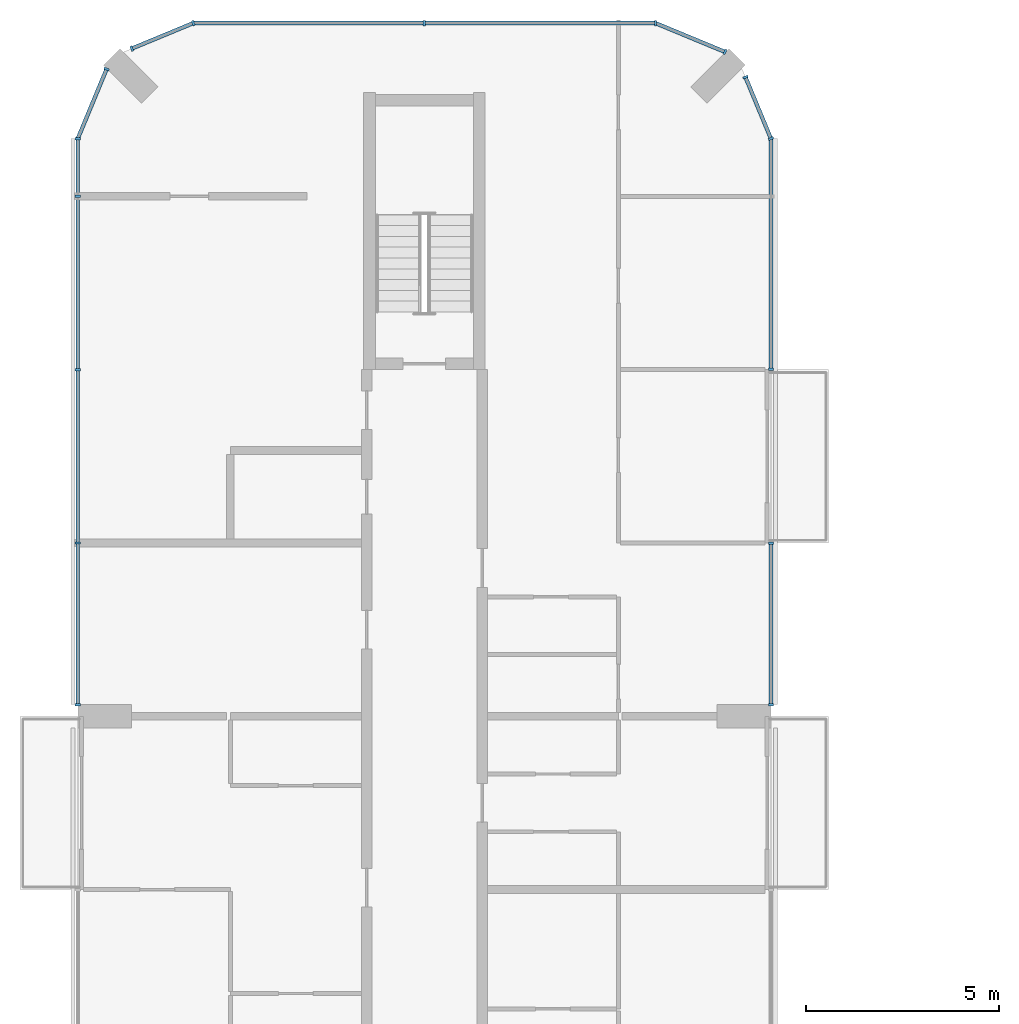
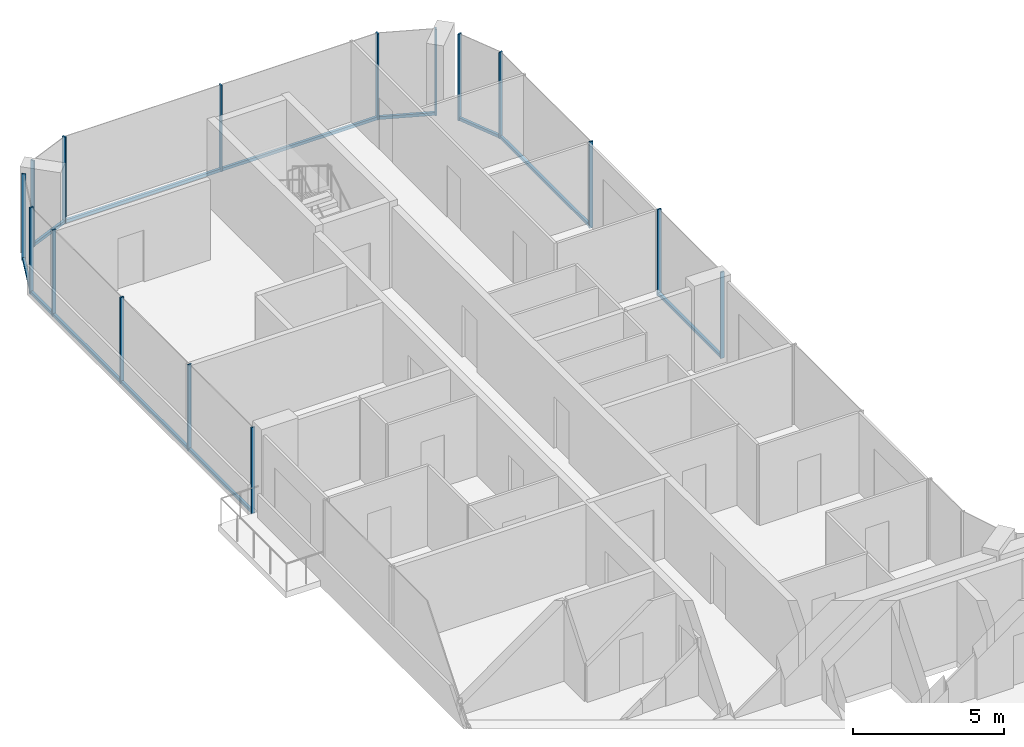
# One storey, part 7 of 15: 24 members, 8 elements without a shape of their own.
"""IFC4 building model written with IfcOpenShell, lengths in metres."""

from ifc_helpers import new_model, si_unit, direction, frame, origin, origin_2d, place, context, subcontext, project, spatial, rectangle, extrude, material, layer, layer_set, material_profile, profile_set, type_object, element, aggregate, save


model = new_model("IFC4")

# Units and contexts
model_context = context("Model", 3, precision=1e-05, world=origin(), true_north=direction((0.0, 1.0)))
body_context = subcontext(model_context, "Body", "Model", "MODEL_VIEW")
ifc_project = project(units=[si_unit("LENGTHUNIT", "METRE"), si_unit("AREAUNIT", "SQUARE_METRE"), si_unit("VOLUMEUNIT", "CUBIC_METRE"), si_unit("PLANEANGLEUNIT", "RADIAN"), si_unit("MASSUNIT", "GRAM", prefix="KILO")], contexts=[model_context])

# Site, building, storey
site_placement = place(None, origin())
site = spatial("IfcSite", under=ifc_project, at=site_placement, CompositionType="ELEMENT")
building_placement = place(site_placement, origin())
building = spatial("IfcBuilding", under=site, at=building_placement, Name="Plateau Cross Towers", CompositionType="ELEMENT")
storey_placement = place(building_placement, frame((0.0, 0.0, 201.39990234375)))
storey = spatial("IfcBuildingStorey", under=building, at=storey_placement, Name="L52", CompositionType="ELEMENT", Elevation=201.39990234375)

# Curtain wall, members
ifc_material_1 = material(Name="Dark low-iron glass", Category="glass")
ifc_layer = layer(ifc_material_1, 0.239990234375)
ifc_layer_set = layer_set([ifc_layer], Name="Dark low-iron glass")
curtain_wall_type = type_object("IfcCurtainWallType", Name="Curtain wall flush unitised CW-B", PredefinedType="NOTDEFINED", material=ifc_layer_set)
curtain_wall_1_placement = place(storey_placement, origin())
curtain_wall_1 = element("IfcCurtainWall", 1, at=curtain_wall_1_placement, inside=storey, type_object=curtain_wall_type, Name="ENV/A/L52/A180_363", PredefinedType="NOTDEFINED")
ifc_material_2 = material(Name="Black anodised aluminium", Category="aluminium")
ifc_material_profile_1 = material_profile(ifc_material_2, rectangle(XDim=0.06005859375, YDim=0.139892578125, at=origin_2d()), Name="MULLION 60x140")
ifc_profile_set_1 = profile_set([ifc_material_profile_1], Name="Black anodised aluminium")
member_type_1 = type_object("IfcMemberType", Name="Mullion 60x140 flush unitised", PredefinedType="MULLION", material=ifc_profile_set_1)
member_1_placement = place(storey_placement, frame((18.0, 36.300048828125, -0.25), z_axis=(0.0, 0.0, 1.0), x_axis=(0.0, 1.0, 0.0)))
member_1 = element("IfcMember", 2, at=member_1_placement, type_object=member_type_1, Name="CW-B mullion 1", PredefinedType="MULLION", context=body_context, shape_type="SweptSolid", body=[
    extrude(rectangle(XDim=0.06005859375, YDim=0.139892578125, at=origin_2d()), origin(), (0.0, 0.0, 1.0), 3.5),
])
member_2_placement = place(storey_placement, frame((18.0, 40.489990234375, -0.25), z_axis=(0.0, 0.0, 1.0), x_axis=(0.0, 1.0, 0.0)))
member_2 = element("IfcMember", 3, at=member_2_placement, type_object=member_type_1, Name="CW-B mullion 2", PredefinedType="MULLION", context=body_context, shape_type="SweptSolid", body=[
    extrude(rectangle(XDim=0.06005859375, YDim=0.139892578125, at=origin_2d()), origin(), (0.0, 0.0, 1.0), 3.5),
])

# Curtain wall, member
curtain_wall_2_placement = place(storey_placement, origin())
curtain_wall_2 = element("IfcCurtainWall", 4, at=curtain_wall_2_placement, inside=storey, type_object=curtain_wall_type, Name="ENV/A/L52/A180_450", PredefinedType="NOTDEFINED")
member_3_placement = place(storey_placement, frame((18.0, 45.010009765625, -0.25), z_axis=(0.0, 0.0, 1.0), x_axis=(0.0, 1.0, 0.0)))
member_3 = element("IfcMember", 5, at=member_3_placement, type_object=member_type_1, Name="CW-B mullion 1", PredefinedType="MULLION", context=body_context, shape_type="SweptSolid", body=[
    extrude(rectangle(XDim=0.06005859375, YDim=0.139892578125, at=origin_2d()), origin(), (0.0, 0.0, 1.0), 3.5),
])

# Curtain wall, members
curtain_wall_3_placement = place(storey_placement, origin())
curtain_wall_3 = element("IfcCurtainWall", 6, at=curtain_wall_3_placement, inside=storey, type_object=curtain_wall_type, Name="ENV/A/L52/A180_510", PredefinedType="NOTDEFINED")
member_4_placement = place(storey_placement, frame((18.0, 51.0, -0.25), z_axis=(0.0, 0.0, 1.0), x_axis=(-0.382683612978, 0.923879457699, 0.0)))
member_4 = element("IfcMember", 7, at=member_4_placement, type_object=member_type_1, Name="CW-B mullion 1", PredefinedType="MULLION", context=body_context, shape_type="SweptSolid", body=[
    extrude(rectangle(XDim=0.06005859375, YDim=0.139892578125, at=origin_2d()), origin(), (0.0, 0.0, 1.0), 3.5),
])
member_5_placement = place(storey_placement, frame((17.338623046875, 52.5966796875, -0.25), z_axis=(0.0, 0.0, 1.0), x_axis=(-0.382683612978, 0.923879457699, 0.0)))
member_5 = element("IfcMember", 8, at=member_5_placement, type_object=member_type_1, Name="CW-B mullion 2", PredefinedType="MULLION", context=body_context, shape_type="SweptSolid", body=[
    extrude(rectangle(XDim=0.06005859375, YDim=0.139892578125, at=origin_2d()), origin(), (0.0, 0.0, 1.0), 3.5),
])

# Curtain wall, member
curtain_wall_4_placement = place(storey_placement, origin())
curtain_wall_4 = element("IfcCurtainWall", 9, at=curtain_wall_4_placement, inside=storey, type_object=curtain_wall_type, Name="ENV/A/L52/A168_533", PredefinedType="NOTDEFINED")
member_6_placement = place(storey_placement, frame((16.805908203125, 53.251953125, -0.25), z_axis=(0.0, 0.0, 1.0), x_axis=(-0.923879457699, 0.382683612978, 0.0)))
member_6 = element("IfcMember", 10, at=member_6_placement, type_object=member_type_1, Name="CW-B mullion 1", PredefinedType="MULLION", context=body_context, shape_type="SweptSolid", body=[
    extrude(rectangle(XDim=0.06005859375, YDim=0.139892578125, at=origin_2d()), origin(), (0.0, 0.0, 1.0), 3.5),
])

# Curtain wall, members
curtain_wall_5_placement = place(storey_placement, origin())
curtain_wall_5 = element("IfcCurtainWall", 11, at=curtain_wall_5_placement, inside=storey, type_object=curtain_wall_type, Name="ENV/A/L52/A150_540", PredefinedType="NOTDEFINED")
member_7_placement = place(storey_placement, frame((15.0, 54.0, -0.25), z_axis=(0.0, 0.0, 1.0), x_axis=(-1.0, 0.0, 0.0)))
member_7 = element("IfcMember", 12, at=member_7_placement, type_object=member_type_1, Name="CW-B mullion 1", PredefinedType="MULLION", context=body_context, shape_type="SweptSolid", body=[
    extrude(rectangle(XDim=0.06005859375, YDim=0.139892578125, at=origin_2d()), origin(), (0.0, 0.0, 1.0), 3.5),
])
member_8_placement = place(storey_placement, frame((9.0, 54.0, -0.25), z_axis=(0.0, 0.0, 1.0), x_axis=(-1.0, 0.0, 0.0)))
member_8 = element("IfcMember", 13, at=member_8_placement, type_object=member_type_1, Name="CW-B mullion 2", PredefinedType="MULLION", context=body_context, shape_type="SweptSolid", body=[
    extrude(rectangle(XDim=0.06005859375, YDim=0.139892578125, at=origin_2d()), origin(), (0.0, 0.0, 1.0), 3.5),
])

curtain_wall_6_placement = place(storey_placement, origin())
curtain_wall_6 = element("IfcCurtainWall", 14, at=curtain_wall_6_placement, inside=storey, type_object=curtain_wall_type, Name="ENV/A/L52/A30_540", PredefinedType="NOTDEFINED")
member_9_placement = place(storey_placement, frame((3.0, 54.0, -0.25), z_axis=(0.0, 0.0, 1.0), x_axis=(-0.923879457699, -0.382683612978, 0.0)))
member_9 = element("IfcMember", 15, at=member_9_placement, type_object=member_type_1, Name="CW-B mullion 1", PredefinedType="MULLION", context=body_context, shape_type="SweptSolid", body=[
    extrude(rectangle(XDim=0.06005859375, YDim=0.139892578125, at=origin_2d()), origin(), (0.0, 0.0, 1.0), 3.5),
])
member_10_placement = place(storey_placement, frame((1.4033203125, 53.338623046875, -0.25), z_axis=(0.0, 0.0, 1.0), x_axis=(-0.923879457699, -0.382683612978, 0.0)))
member_10 = element("IfcMember", 16, at=member_10_placement, type_object=member_type_1, Name="CW-B mullion 2", PredefinedType="MULLION", context=body_context, shape_type="SweptSolid", body=[
    extrude(rectangle(XDim=0.06005859375, YDim=0.139892578125, at=origin_2d()), origin(), (0.0, 0.0, 1.0), 3.5),
])

# Curtain wall, member
curtain_wall_7_placement = place(storey_placement, origin())
curtain_wall_7 = element("IfcCurtainWall", 17, at=curtain_wall_7_placement, inside=storey, type_object=curtain_wall_type, Name="ENV/A/L52/A7_528", PredefinedType="NOTDEFINED")
member_11_placement = place(storey_placement, frame((0.748046875, 52.805908203125, -0.25), z_axis=(0.0, 0.0, 1.0), x_axis=(-0.382683612978, -0.923879457699, 0.0)))
member_11 = element("IfcMember", 18, at=member_11_placement, type_object=member_type_1, Name="CW-B mullion 1", PredefinedType="MULLION", context=body_context, shape_type="SweptSolid", body=[
    extrude(rectangle(XDim=0.06005859375, YDim=0.139892578125, at=origin_2d()), origin(), (0.0, 0.0, 1.0), 3.5),
])

# Curtain wall, members
curtain_wall_8_placement = place(storey_placement, origin())
curtain_wall_8 = element("IfcCurtainWall", 19, at=curtain_wall_8_placement, inside=storey, type_object=curtain_wall_type, Name="ENV/A/L52/A0_510", PredefinedType="NOTDEFINED")
member_12_placement = place(storey_placement, frame((0.0, 51.0, -0.25), z_axis=(0.0, 0.0, 1.0), x_axis=(0.0, -1.0, 0.0)))
member_12 = element("IfcMember", 20, at=member_12_placement, type_object=member_type_1, Name="CW-B mullion 1", PredefinedType="MULLION", context=body_context, shape_type="SweptSolid", body=[
    extrude(rectangle(XDim=0.06005859375, YDim=0.139892578125, at=origin_2d()), origin(), (0.0, 0.0, 1.0), 3.5),
])
member_13_placement = place(storey_placement, frame((0.0, 49.5, -0.25), z_axis=(0.0, 0.0, 1.0), x_axis=(0.0, -1.0, 0.0)))
member_13 = element("IfcMember", 21, at=member_13_placement, type_object=member_type_1, Name="CW-B mullion 2", PredefinedType="MULLION", context=body_context, shape_type="SweptSolid", body=[
    extrude(rectangle(XDim=0.06005859375, YDim=0.139892578125, at=origin_2d()), origin(), (0.0, 0.0, 1.0), 3.5),
])
member_14_placement = place(storey_placement, frame((0.0, 45.0, -0.25), z_axis=(0.0, 0.0, 1.0), x_axis=(0.0, -1.0, 0.0)))
member_14 = element("IfcMember", 22, at=member_14_placement, type_object=member_type_1, Name="CW-B mullion 3", PredefinedType="MULLION", context=body_context, shape_type="SweptSolid", body=[
    extrude(rectangle(XDim=0.06005859375, YDim=0.139892578125, at=origin_2d()), origin(), (0.0, 0.0, 1.0), 3.5),
])
member_15_placement = place(storey_placement, frame((0.0, 40.5, -0.25), z_axis=(0.0, 0.0, 1.0), x_axis=(0.0, -1.0, 0.0)))
member_15 = element("IfcMember", 23, at=member_15_placement, type_object=member_type_1, Name="CW-B mullion 4", PredefinedType="MULLION", context=body_context, shape_type="SweptSolid", body=[
    extrude(rectangle(XDim=0.06005859375, YDim=0.139892578125, at=origin_2d()), origin(), (0.0, 0.0, 1.0), 3.5),
])
member_16_placement = place(storey_placement, frame((0.0, 36.300048828125, -0.25), z_axis=(0.0, 0.0, 1.0), x_axis=(0.0, -1.0, 0.0)))
member_16 = element("IfcMember", 24, at=member_16_placement, type_object=member_type_1, Name="CW-B mullion 5", PredefinedType="MULLION", context=body_context, shape_type="SweptSolid", body=[
    extrude(rectangle(XDim=0.06005859375, YDim=0.139892578125, at=origin_2d()), origin(), (0.0, 0.0, 1.0), 3.5),
])

# Member
ifc_material_profile_2 = material_profile(ifc_material_2, rectangle(XDim=0.10009765625, YDim=0.1201171875, at=origin_2d()), Name="TRANSOM 100x120")
ifc_profile_set_2 = profile_set([ifc_material_profile_2], Name="Black anodised aluminium")
member_type_2 = type_object("IfcMemberType", Name="Transom 100x120 flush unitised", PredefinedType="USERDEFINED", material=ifc_profile_set_2)
member_17_placement = place(storey_placement, frame((18.0, 36.300048828125, -0.18994140625), z_axis=(0.0, 1.0, 0.0), x_axis=(-1.0, 0.0, 0.0)))
member_17 = element("IfcMember", 25, at=member_17_placement, type_object=member_type_2, Name="CW-B transom", ObjectType="TRANSOM", PredefinedType="USERDEFINED", context=body_context, shape_type="SweptSolid", body=[
    extrude(rectangle(XDim=0.10009765625, YDim=0.1201171875, at=origin_2d()), origin(), (0.0, 0.0, 1.0), 4.18994140625),
])

aggregate(curtain_wall_1, [member_1, member_2, member_17])

member_18_placement = place(storey_placement, frame((18.0, 45.010009765625, -0.18994140625), z_axis=(0.0, 1.0, 0.0), x_axis=(-1.0, 0.0, 0.0)))
member_18 = element("IfcMember", 26, at=member_18_placement, type_object=member_type_2, Name="CW-B transom", ObjectType="TRANSOM", PredefinedType="USERDEFINED", context=body_context, shape_type="SweptSolid", body=[
    extrude(rectangle(XDim=0.10009765625, YDim=0.1201171875, at=origin_2d()), origin(), (0.0, 0.0, 1.0), 5.989990234375),
])

aggregate(curtain_wall_2, [member_3, member_18])

member_19_placement = place(storey_placement, frame((18.0, 51.0, -0.18994140625), z_axis=(-0.382688653628, 0.923877369776, 0.0), x_axis=(-0.923877369776, -0.382688653628, 0.0)))
member_19 = element("IfcMember", 27, at=member_19_placement, type_object=member_type_2, Name="CW-B transom", ObjectType="TRANSOM", PredefinedType="USERDEFINED", context=body_context, shape_type="SweptSolid", body=[
    extrude(rectangle(XDim=0.10009765625, YDim=0.1201171875, at=origin_2d()), origin(), (0.0, 0.0, 1.0), 1.728271484375),
])

aggregate(curtain_wall_3, [member_4, member_5, member_19])

member_20_placement = place(storey_placement, frame((16.805908203125, 53.251953125, -0.18994140625), z_axis=(-0.92387678234, 0.382690071798, 0.0), x_axis=(-0.382690071798, -0.92387678234, 0.0)))
member_20 = element("IfcMember", 28, at=member_20_placement, type_object=member_type_2, Name="CW-B transom", ObjectType="TRANSOM", PredefinedType="USERDEFINED", context=body_context, shape_type="SweptSolid", body=[
    extrude(rectangle(XDim=0.10009765625, YDim=0.1201171875, at=origin_2d()), origin(), (0.0, 0.0, 1.0), 1.95458984375),
])

aggregate(curtain_wall_4, [member_6, member_20])

member_21_placement = place(storey_placement, frame((15.0, 54.0, -0.18994140625), z_axis=(-1.0, 0.0, 0.0), x_axis=(0.0, -1.0, 0.0)))
member_21 = element("IfcMember", 29, at=member_21_placement, type_object=member_type_2, Name="CW-B transom", ObjectType="TRANSOM", PredefinedType="USERDEFINED", context=body_context, shape_type="SweptSolid", body=[
    extrude(rectangle(XDim=0.10009765625, YDim=0.1201171875, at=origin_2d()), origin(), (0.0, 0.0, 1.0), 12.0),
])

aggregate(curtain_wall_5, [member_7, member_8, member_21])

member_22_placement = place(storey_placement, frame((3.0, 54.0, -0.18994140625), z_axis=(-0.923877369776, -0.382688653628, 0.0), x_axis=(0.382688653628, -0.923877369776, 0.0)))
member_22 = element("IfcMember", 30, at=member_22_placement, type_object=member_type_2, Name="CW-B transom", ObjectType="TRANSOM", PredefinedType="USERDEFINED", context=body_context, shape_type="SweptSolid", body=[
    extrude(rectangle(XDim=0.10009765625, YDim=0.1201171875, at=origin_2d()), origin(), (0.0, 0.0, 1.0), 1.728271484375),
])

aggregate(curtain_wall_6, [member_9, member_10, member_22])

member_23_placement = place(storey_placement, frame((0.748046875, 52.805908203125, -0.18994140625), z_axis=(-0.382690071798, -0.92387678234, 0.0), x_axis=(0.92387678234, -0.382690071798, 0.0)))
member_23 = element("IfcMember", 31, at=member_23_placement, type_object=member_type_2, Name="CW-B transom", ObjectType="TRANSOM", PredefinedType="USERDEFINED", context=body_context, shape_type="SweptSolid", body=[
    extrude(rectangle(XDim=0.10009765625, YDim=0.1201171875, at=origin_2d()), origin(), (0.0, 0.0, 1.0), 1.95458984375),
])

aggregate(curtain_wall_7, [member_11, member_23])

member_24_placement = place(storey_placement, frame((0.0, 51.0, -0.18994140625), z_axis=(0.0, -1.0, 0.0), x_axis=(1.0, 0.0, 0.0)))
member_24 = element("IfcMember", 32, at=member_24_placement, type_object=member_type_2, Name="CW-B transom", ObjectType="TRANSOM", PredefinedType="USERDEFINED", context=body_context, shape_type="SweptSolid", body=[
    extrude(rectangle(XDim=0.10009765625, YDim=0.1201171875, at=origin_2d()), origin(), (0.0, 0.0, 1.0), 14.699951171875),
])

aggregate(curtain_wall_8, [member_12, member_13, member_14, member_15, member_16, member_24])

save(model, "model.ifc")
